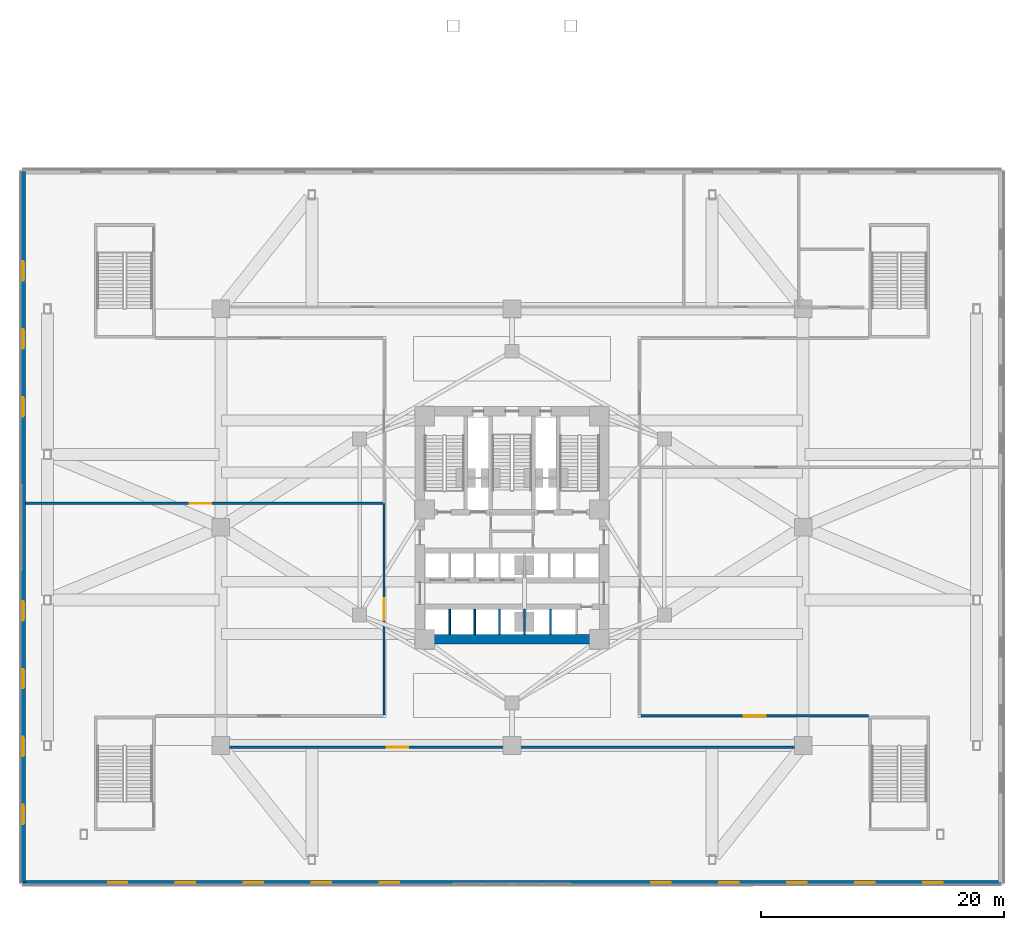
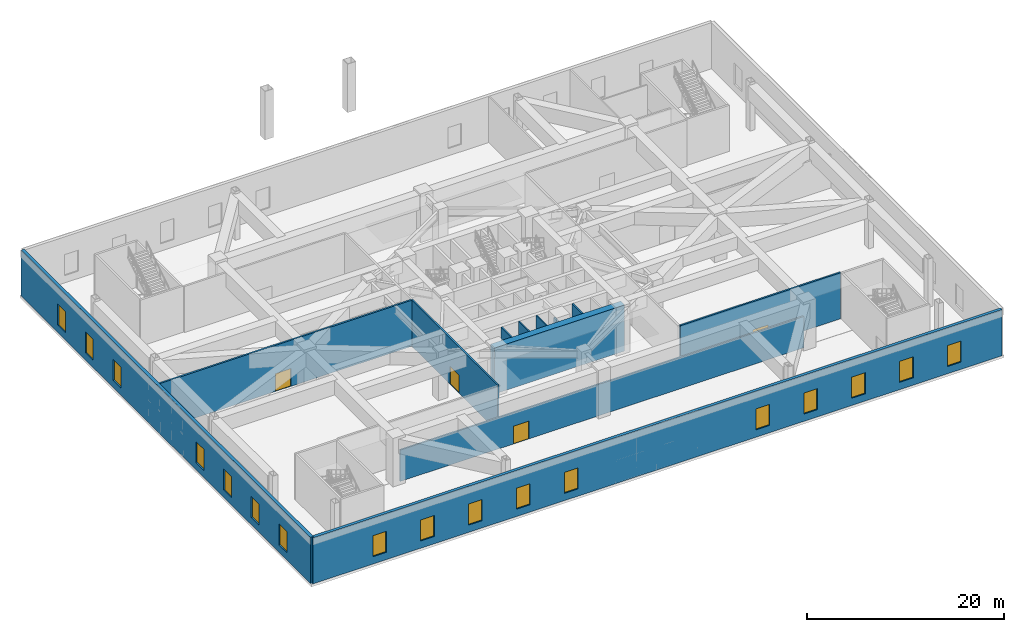
# One storey, part 11 of 24: 17 windows, 12 walls, 4 doors, 21 openings.
"""IFC4 building model written with IfcOpenShell, lengths in metres."""

from ifc_helpers import new_model, si_unit, direction, frame, frame_2d, origin, place, context, subcontext, project, spatial, rectangle, extrude, material, layer, layer_set, type_object, element, fill, save


model = new_model("IFC4")

# Units and contexts
model_context = context("Model", 3, precision=1e-05, world=origin(), true_north=direction((0.0, 1.0)))
body_context = subcontext(model_context, "Body", "Model", "MODEL_VIEW")
ifc_project = project(units=[si_unit("LENGTHUNIT", "METRE"), si_unit("AREAUNIT", "SQUARE_METRE"), si_unit("VOLUMEUNIT", "CUBIC_METRE"), si_unit("PLANEANGLEUNIT", "RADIAN"), si_unit("MASSUNIT", "GRAM", prefix="KILO")], contexts=[model_context])

# Site, building, storey
site_placement = place(None, origin())
site = spatial("IfcSite", under=ifc_project, at=site_placement, CompositionType="ELEMENT")
building_placement = place(site_placement, origin())
building = spatial("IfcBuilding", under=site, at=building_placement, Name="Apsidion Concourse Tower", CompositionType="ELEMENT")
storey_placement = place(building_placement, frame((0.0, 0.0, 17.5)))
storey = spatial("IfcBuildingStorey", under=building, at=storey_placement, Name="L03", CompositionType="ELEMENT", Elevation=17.5)

# Wall, openings, windows
ifc_material_1 = material(Name="Precast concrete C40/50", Category="concrete")
ifc_layer_1 = layer(ifc_material_1, 0.360107421875)
ifc_layer_set_1 = layer_set([ifc_layer_1], Name="Precast concrete C40/50")
wall_type_1 = type_object("IfcWallType", Name="WL-EXT-360", PredefinedType="STANDARD", material=ifc_layer_set_1)
wall_1_placement = place(storey_placement, frame((40.300048828125, -29.300048828125, 0.0), z_axis=(0.0, 0.0, 1.0), x_axis=(-1.0, 0.0, 0.0)))
wall_1 = element("IfcWall", 1, at=wall_1_placement, inside=storey, type_object=wall_type_1, Name="L03 Podium Precast Stone Facade Wall S", PredefinedType="STANDARD", context=body_context, shape_type="SweptSolid", body=[
    extrude(rectangle(XDim=80.60009765625, YDim=0.360107421875, at=frame_2d((40.300048828125, 0.0))), origin(), (0.0, 0.0, 1.0), 5.699951171875),
])
opening_1_placement = place(wall_1_placement, frame((4.800048828125, 0.0, 0.89990234375)))
opening_1 = element("IfcOpeningElement", 2, at=opening_1_placement, cuts=wall_1, Name="Opening WN-02", PredefinedType="OPENING", context=body_context, shape_type="SweptSolid", body=[
    extrude(rectangle(XDim=1.60009765625, YDim=2.60009765625, at=frame_2d((0.800048828125, 1.300048828125))), frame((0.0, 0.18994140625, 0.0), z_axis=(0.0, -1.0, 0.0), x_axis=(1.0, 0.0, 0.0)), (0.0, 0.0, 1.0), 0.380126953125),
])
opening_2_placement = place(wall_1_placement, frame((10.39990234375, 0.0, 0.89990234375)))
opening_2 = element("IfcOpeningElement", 3, at=opening_2_placement, cuts=wall_1, Name="Opening WN-02", PredefinedType="OPENING", context=body_context, shape_type="SweptSolid", body=[
    extrude(rectangle(XDim=1.60009765625, YDim=2.60009765625, at=frame_2d((0.800048828125, 1.300048828125))), frame((0.0, 0.18994140625, 0.0), z_axis=(0.0, -1.0, 0.0), x_axis=(1.0, 0.0, 0.0)), (0.0, 0.0, 1.0), 0.380126953125),
])
opening_3_placement = place(wall_1_placement, frame((16.0, 0.0, 0.89990234375)))
opening_3 = element("IfcOpeningElement", 4, at=opening_3_placement, cuts=wall_1, Name="Opening WN-02", PredefinedType="OPENING", context=body_context, shape_type="SweptSolid", body=[
    extrude(rectangle(XDim=1.60009765625, YDim=2.60009765625, at=frame_2d((0.800048828125, 1.300048828125))), frame((0.0, 0.18994140625, 0.0), z_axis=(0.0, -1.0, 0.0), x_axis=(1.0, 0.0, 0.0)), (0.0, 0.0, 1.0), 0.380126953125),
])
opening_4_placement = place(wall_1_placement, frame((21.60009765625, 0.0, 0.89990234375)))
opening_4 = element("IfcOpeningElement", 5, at=opening_4_placement, cuts=wall_1, Name="Opening WN-02", PredefinedType="OPENING", context=body_context, shape_type="SweptSolid", body=[
    extrude(rectangle(XDim=1.60009765625, YDim=2.60009765625, at=frame_2d((0.800048828125, 1.300048828125))), frame((0.0, 0.18994140625, 0.0), z_axis=(0.0, -1.0, 0.0), x_axis=(1.0, 0.0, 0.0)), (0.0, 0.0, 1.0), 0.380126953125),
])
opening_5_placement = place(wall_1_placement, frame((27.199951171875, 0.0, 0.89990234375)))
opening_5 = element("IfcOpeningElement", 6, at=opening_5_placement, cuts=wall_1, Name="Opening WN-02", PredefinedType="OPENING", context=body_context, shape_type="SweptSolid", body=[
    extrude(rectangle(XDim=1.60009765625, YDim=2.60009765625, at=frame_2d((0.800048828125, 1.300048828125))), frame((0.0, 0.18994140625, 0.0), z_axis=(0.0, -1.0, 0.0), x_axis=(1.0, 0.0, 0.0)), (0.0, 0.0, 1.0), 0.380126953125),
])
opening_6_placement = place(wall_1_placement, frame((49.60009765625, 0.0, 0.89990234375)))
opening_6 = element("IfcOpeningElement", 7, at=opening_6_placement, cuts=wall_1, Name="Opening WN-02", PredefinedType="OPENING", context=body_context, shape_type="SweptSolid", body=[
    extrude(rectangle(XDim=1.60009765625, YDim=2.60009765625, at=frame_2d((0.800048828125, 1.300048828125))), frame((0.0, 0.18994140625, 0.0), z_axis=(0.0, -1.0, 0.0), x_axis=(1.0, 0.0, 0.0)), (0.0, 0.0, 1.0), 0.380126953125),
])
opening_7_placement = place(wall_1_placement, frame((55.199951171875, 0.0, 0.89990234375)))
opening_7 = element("IfcOpeningElement", 8, at=opening_7_placement, cuts=wall_1, Name="Opening WN-02", PredefinedType="OPENING", context=body_context, shape_type="SweptSolid", body=[
    extrude(rectangle(XDim=1.60009765625, YDim=2.60009765625, at=frame_2d((0.800048828125, 1.300048828125))), frame((0.0, 0.18994140625, 0.0), z_axis=(0.0, -1.0, 0.0), x_axis=(1.0, 0.0, 0.0)), (0.0, 0.0, 1.0), 0.380126953125),
])
opening_8_placement = place(wall_1_placement, frame((60.800048828125, 0.0, 0.89990234375)))
opening_8 = element("IfcOpeningElement", 9, at=opening_8_placement, cuts=wall_1, Name="Opening WN-02", PredefinedType="OPENING", context=body_context, shape_type="SweptSolid", body=[
    extrude(rectangle(XDim=1.60009765625, YDim=2.60009765625, at=frame_2d((0.800048828125, 1.300048828125))), frame((0.0, 0.18994140625, 0.0), z_axis=(0.0, -1.0, 0.0), x_axis=(1.0, 0.0, 0.0)), (0.0, 0.0, 1.0), 0.380126953125),
])
opening_9_placement = place(wall_1_placement, frame((66.39990234375, 0.0, 0.89990234375)))
opening_9 = element("IfcOpeningElement", 10, at=opening_9_placement, cuts=wall_1, Name="Opening WN-02", PredefinedType="OPENING", context=body_context, shape_type="SweptSolid", body=[
    extrude(rectangle(XDim=1.60009765625, YDim=2.60009765625, at=frame_2d((0.800048828125, 1.300048828125))), frame((0.0, 0.18994140625, 0.0), z_axis=(0.0, -1.0, 0.0), x_axis=(1.0, 0.0, 0.0)), (0.0, 0.0, 1.0), 0.380126953125),
])
opening_10_placement = place(wall_1_placement, frame((72.0, 0.0, 0.89990234375)))
opening_10 = element("IfcOpeningElement", 11, at=opening_10_placement, cuts=wall_1, Name="Opening WN-02", PredefinedType="OPENING", context=body_context, shape_type="SweptSolid", body=[
    extrude(rectangle(XDim=1.60009765625, YDim=2.60009765625, at=frame_2d((0.800048828125, 1.300048828125))), frame((0.0, 0.18994140625, 0.0), z_axis=(0.0, -1.0, 0.0), x_axis=(1.0, 0.0, 0.0)), (0.0, 0.0, 1.0), 0.380126953125),
])
ifc_material_2 = material(Name="Insulated laminated low-E glass", Category="glass")
window_type = type_object("IfcWindowType", Name="WN-POD-1626", PartitioningType="DOUBLE_PANEL_VERTICAL", PredefinedType="WINDOW", material=ifc_material_2)
window_1_placement = place(opening_1_placement, origin())
window_1 = element("IfcWindow", 12, at=window_1_placement, inside=storey, type_object=window_type, Name="L03 Podium Window S-01", OverallHeight=2.60009765625, OverallWidth=1.60009765625, PartitioningType="DOUBLE_PANEL_VERTICAL", PredefinedType="WINDOW", context=body_context, shape_type="SweptSolid", body=[
    extrude(rectangle(XDim=1.60009765625, YDim=2.60009765625, at=frame_2d((0.800048828125, 1.300048828125))), frame((0.0, 0.030029296875, 0.0), z_axis=(0.0, -1.0, 0.0), x_axis=(1.0, 0.0, 0.0)), (0.0, 0.0, 1.0), 0.06005859375),
])
fill(opening_1, window_1)
window_2_placement = place(opening_2_placement, origin())
window_2 = element("IfcWindow", 13, at=window_2_placement, inside=storey, type_object=window_type, Name="L03 Podium Window S-02", OverallHeight=2.60009765625, OverallWidth=1.60009765625, PartitioningType="DOUBLE_PANEL_VERTICAL", PredefinedType="WINDOW", context=body_context, shape_type="SweptSolid", body=[
    extrude(rectangle(XDim=1.60009765625, YDim=2.60009765625, at=frame_2d((0.800048828125, 1.300048828125))), frame((0.0, 0.030029296875, 0.0), z_axis=(0.0, -1.0, 0.0), x_axis=(1.0, 0.0, 0.0)), (0.0, 0.0, 1.0), 0.06005859375),
])
fill(opening_2, window_2)
window_3_placement = place(opening_3_placement, origin())
window_3 = element("IfcWindow", 14, at=window_3_placement, inside=storey, type_object=window_type, Name="L03 Podium Window S-03", OverallHeight=2.60009765625, OverallWidth=1.60009765625, PartitioningType="DOUBLE_PANEL_VERTICAL", PredefinedType="WINDOW", context=body_context, shape_type="SweptSolid", body=[
    extrude(rectangle(XDim=1.60009765625, YDim=2.60009765625, at=frame_2d((0.800048828125, 1.300048828125))), frame((0.0, 0.030029296875, 0.0), z_axis=(0.0, -1.0, 0.0), x_axis=(1.0, 0.0, 0.0)), (0.0, 0.0, 1.0), 0.06005859375),
])
fill(opening_3, window_3)
window_4_placement = place(opening_4_placement, origin())
window_4 = element("IfcWindow", 15, at=window_4_placement, inside=storey, type_object=window_type, Name="L03 Podium Window S-04", OverallHeight=2.60009765625, OverallWidth=1.60009765625, PartitioningType="DOUBLE_PANEL_VERTICAL", PredefinedType="WINDOW", context=body_context, shape_type="SweptSolid", body=[
    extrude(rectangle(XDim=1.60009765625, YDim=2.60009765625, at=frame_2d((0.800048828125, 1.300048828125))), frame((0.0, 0.030029296875, 0.0), z_axis=(0.0, -1.0, 0.0), x_axis=(1.0, 0.0, 0.0)), (0.0, 0.0, 1.0), 0.06005859375),
])
fill(opening_4, window_4)
window_5_placement = place(opening_5_placement, origin())
window_5 = element("IfcWindow", 16, at=window_5_placement, inside=storey, type_object=window_type, Name="L03 Podium Window S-05", OverallHeight=2.60009765625, OverallWidth=1.60009765625, PartitioningType="DOUBLE_PANEL_VERTICAL", PredefinedType="WINDOW", context=body_context, shape_type="SweptSolid", body=[
    extrude(rectangle(XDim=1.60009765625, YDim=2.60009765625, at=frame_2d((0.800048828125, 1.300048828125))), frame((0.0, 0.030029296875, 0.0), z_axis=(0.0, -1.0, 0.0), x_axis=(1.0, 0.0, 0.0)), (0.0, 0.0, 1.0), 0.06005859375),
])
fill(opening_5, window_5)
window_6_placement = place(opening_6_placement, origin())
window_6 = element("IfcWindow", 17, at=window_6_placement, inside=storey, type_object=window_type, Name="L03 Podium Window S-09", OverallHeight=2.60009765625, OverallWidth=1.60009765625, PartitioningType="DOUBLE_PANEL_VERTICAL", PredefinedType="WINDOW", context=body_context, shape_type="SweptSolid", body=[
    extrude(rectangle(XDim=1.60009765625, YDim=2.60009765625, at=frame_2d((0.800048828125, 1.300048828125))), frame((0.0, 0.030029296875, 0.0), z_axis=(0.0, -1.0, 0.0), x_axis=(1.0, 0.0, 0.0)), (0.0, 0.0, 1.0), 0.06005859375),
])
fill(opening_6, window_6)
window_7_placement = place(opening_7_placement, origin())
window_7 = element("IfcWindow", 18, at=window_7_placement, inside=storey, type_object=window_type, Name="L03 Podium Window S-10", OverallHeight=2.60009765625, OverallWidth=1.60009765625, PartitioningType="DOUBLE_PANEL_VERTICAL", PredefinedType="WINDOW", context=body_context, shape_type="SweptSolid", body=[
    extrude(rectangle(XDim=1.60009765625, YDim=2.60009765625, at=frame_2d((0.800048828125, 1.300048828125))), frame((0.0, 0.030029296875, 0.0), z_axis=(0.0, -1.0, 0.0), x_axis=(1.0, 0.0, 0.0)), (0.0, 0.0, 1.0), 0.06005859375),
])
fill(opening_7, window_7)
window_8_placement = place(opening_8_placement, origin())
window_8 = element("IfcWindow", 19, at=window_8_placement, inside=storey, type_object=window_type, Name="L03 Podium Window S-11", OverallHeight=2.60009765625, OverallWidth=1.60009765625, PartitioningType="DOUBLE_PANEL_VERTICAL", PredefinedType="WINDOW", context=body_context, shape_type="SweptSolid", body=[
    extrude(rectangle(XDim=1.60009765625, YDim=2.60009765625, at=frame_2d((0.800048828125, 1.300048828125))), frame((0.0, 0.030029296875, 0.0), z_axis=(0.0, -1.0, 0.0), x_axis=(1.0, 0.0, 0.0)), (0.0, 0.0, 1.0), 0.06005859375),
])
fill(opening_8, window_8)
window_9_placement = place(opening_9_placement, origin())
window_9 = element("IfcWindow", 20, at=window_9_placement, inside=storey, type_object=window_type, Name="L03 Podium Window S-12", OverallHeight=2.60009765625, OverallWidth=1.60009765625, PartitioningType="DOUBLE_PANEL_VERTICAL", PredefinedType="WINDOW", context=body_context, shape_type="SweptSolid", body=[
    extrude(rectangle(XDim=1.60009765625, YDim=2.60009765625, at=frame_2d((0.800048828125, 1.300048828125))), frame((0.0, 0.030029296875, 0.0), z_axis=(0.0, -1.0, 0.0), x_axis=(1.0, 0.0, 0.0)), (0.0, 0.0, 1.0), 0.06005859375),
])
fill(opening_9, window_9)
window_10_placement = place(opening_10_placement, origin())
window_10 = element("IfcWindow", 21, at=window_10_placement, inside=storey, type_object=window_type, Name="L03 Podium Window S-13", OverallHeight=2.60009765625, OverallWidth=1.60009765625, PartitioningType="DOUBLE_PANEL_VERTICAL", PredefinedType="WINDOW", context=body_context, shape_type="SweptSolid", body=[
    extrude(rectangle(XDim=1.60009765625, YDim=2.60009765625, at=frame_2d((0.800048828125, 1.300048828125))), frame((0.0, 0.030029296875, 0.0), z_axis=(0.0, -1.0, 0.0), x_axis=(1.0, 0.0, 0.0)), (0.0, 0.0, 1.0), 0.06005859375),
])
fill(opening_10, window_10)

wall_2_placement = place(storey_placement, frame((-40.300048828125, -29.300048828125, 0.0), z_axis=(0.0, 0.0, 1.0), x_axis=(0.0, 1.0, 0.0)))
wall_2 = element("IfcWall", 22, at=wall_2_placement, inside=storey, type_object=wall_type_1, Name="L03 Podium Precast Stone Facade Wall W", PredefinedType="STANDARD", context=body_context, shape_type="SweptSolid", body=[
    extrude(rectangle(XDim=58.60009765625, YDim=0.360107421875, at=frame_2d((29.300048828125, 0.0))), origin(), (0.0, 0.0, 1.0), 5.699951171875),
])
opening_11_placement = place(wall_2_placement, frame((4.800048828125, 0.0, 0.89990234375)))
opening_11 = element("IfcOpeningElement", 23, at=opening_11_placement, cuts=wall_2, Name="Opening WN-02", PredefinedType="OPENING", context=body_context, shape_type="SweptSolid", body=[
    extrude(rectangle(XDim=1.60009765625, YDim=2.60009765625, at=frame_2d((0.800048828125, 1.300048828125))), frame((0.0, 0.18994140625, 0.0), z_axis=(0.0, -1.0, 0.0), x_axis=(1.0, 0.0, 0.0)), (0.0, 0.0, 1.0), 0.380126953125),
])
opening_12_placement = place(wall_2_placement, frame((10.39990234375, 0.0, 0.89990234375)))
opening_12 = element("IfcOpeningElement", 24, at=opening_12_placement, cuts=wall_2, Name="Opening WN-02", PredefinedType="OPENING", context=body_context, shape_type="SweptSolid", body=[
    extrude(rectangle(XDim=1.60009765625, YDim=2.60009765625, at=frame_2d((0.800048828125, 1.300048828125))), frame((0.0, 0.18994140625, 0.0), z_axis=(0.0, -1.0, 0.0), x_axis=(1.0, 0.0, 0.0)), (0.0, 0.0, 1.0), 0.380126953125),
])
opening_13_placement = place(wall_2_placement, frame((16.0, 0.0, 0.89990234375)))
opening_13 = element("IfcOpeningElement", 25, at=opening_13_placement, cuts=wall_2, Name="Opening WN-02", PredefinedType="OPENING", context=body_context, shape_type="SweptSolid", body=[
    extrude(rectangle(XDim=1.60009765625, YDim=2.60009765625, at=frame_2d((0.800048828125, 1.300048828125))), frame((0.0, 0.18994140625, 0.0), z_axis=(0.0, -1.0, 0.0), x_axis=(1.0, 0.0, 0.0)), (0.0, 0.0, 1.0), 0.380126953125),
])
opening_14_placement = place(wall_2_placement, frame((21.60009765625, 0.0, 0.89990234375)))
opening_14 = element("IfcOpeningElement", 26, at=opening_14_placement, cuts=wall_2, Name="Opening WN-02", PredefinedType="OPENING", context=body_context, shape_type="SweptSolid", body=[
    extrude(rectangle(XDim=1.60009765625, YDim=2.60009765625, at=frame_2d((0.800048828125, 1.300048828125))), frame((0.0, 0.18994140625, 0.0), z_axis=(0.0, -1.0, 0.0), x_axis=(1.0, 0.0, 0.0)), (0.0, 0.0, 1.0), 0.380126953125),
])
opening_15_placement = place(wall_2_placement, frame((38.39990234375, 0.0, 0.89990234375)))
opening_15 = element("IfcOpeningElement", 27, at=opening_15_placement, cuts=wall_2, Name="Opening WN-02", PredefinedType="OPENING", context=body_context, shape_type="SweptSolid", body=[
    extrude(rectangle(XDim=1.60009765625, YDim=2.60009765625, at=frame_2d((0.800048828125, 1.300048828125))), frame((0.0, 0.18994140625, 0.0), z_axis=(0.0, -1.0, 0.0), x_axis=(1.0, 0.0, 0.0)), (0.0, 0.0, 1.0), 0.380126953125),
])
opening_16_placement = place(wall_2_placement, frame((44.0, 0.0, 0.89990234375)))
opening_16 = element("IfcOpeningElement", 28, at=opening_16_placement, cuts=wall_2, Name="Opening WN-02", PredefinedType="OPENING", context=body_context, shape_type="SweptSolid", body=[
    extrude(rectangle(XDim=1.60009765625, YDim=2.60009765625, at=frame_2d((0.800048828125, 1.300048828125))), frame((0.0, 0.18994140625, 0.0), z_axis=(0.0, -1.0, 0.0), x_axis=(1.0, 0.0, 0.0)), (0.0, 0.0, 1.0), 0.380126953125),
])
opening_17_placement = place(wall_2_placement, frame((49.60009765625, 0.0, 0.89990234375)))
opening_17 = element("IfcOpeningElement", 29, at=opening_17_placement, cuts=wall_2, Name="Opening WN-02", PredefinedType="OPENING", context=body_context, shape_type="SweptSolid", body=[
    extrude(rectangle(XDim=1.60009765625, YDim=2.60009765625, at=frame_2d((0.800048828125, 1.300048828125))), frame((0.0, 0.18994140625, 0.0), z_axis=(0.0, -1.0, 0.0), x_axis=(1.0, 0.0, 0.0)), (0.0, 0.0, 1.0), 0.380126953125),
])
window_11_placement = place(opening_11_placement, origin())
window_11 = element("IfcWindow", 30, at=window_11_placement, inside=storey, type_object=window_type, Name="L03 Podium Window W-01", OverallHeight=2.60009765625, OverallWidth=1.60009765625, PartitioningType="DOUBLE_PANEL_VERTICAL", PredefinedType="WINDOW", context=body_context, shape_type="SweptSolid", body=[
    extrude(rectangle(XDim=1.60009765625, YDim=2.60009765625, at=frame_2d((0.800048828125, 1.300048828125))), frame((0.0, 0.030029296875, 0.0), z_axis=(0.0, -1.0, 0.0), x_axis=(1.0, 0.0, 0.0)), (0.0, 0.0, 1.0), 0.06005859375),
])
fill(opening_11, window_11)
window_12_placement = place(opening_12_placement, origin())
window_12 = element("IfcWindow", 31, at=window_12_placement, inside=storey, type_object=window_type, Name="L03 Podium Window W-02", OverallHeight=2.60009765625, OverallWidth=1.60009765625, PartitioningType="DOUBLE_PANEL_VERTICAL", PredefinedType="WINDOW", context=body_context, shape_type="SweptSolid", body=[
    extrude(rectangle(XDim=1.60009765625, YDim=2.60009765625, at=frame_2d((0.800048828125, 1.300048828125))), frame((0.0, 0.030029296875, 0.0), z_axis=(0.0, -1.0, 0.0), x_axis=(1.0, 0.0, 0.0)), (0.0, 0.0, 1.0), 0.06005859375),
])
fill(opening_12, window_12)
window_13_placement = place(opening_13_placement, origin())
window_13 = element("IfcWindow", 32, at=window_13_placement, inside=storey, type_object=window_type, Name="L03 Podium Window W-03", OverallHeight=2.60009765625, OverallWidth=1.60009765625, PartitioningType="DOUBLE_PANEL_VERTICAL", PredefinedType="WINDOW", context=body_context, shape_type="SweptSolid", body=[
    extrude(rectangle(XDim=1.60009765625, YDim=2.60009765625, at=frame_2d((0.800048828125, 1.300048828125))), frame((0.0, 0.030029296875, 0.0), z_axis=(0.0, -1.0, 0.0), x_axis=(1.0, 0.0, 0.0)), (0.0, 0.0, 1.0), 0.06005859375),
])
fill(opening_13, window_13)
window_14_placement = place(opening_14_placement, origin())
window_14 = element("IfcWindow", 33, at=window_14_placement, inside=storey, type_object=window_type, Name="L03 Podium Window W-04", OverallHeight=2.60009765625, OverallWidth=1.60009765625, PartitioningType="DOUBLE_PANEL_VERTICAL", PredefinedType="WINDOW", context=body_context, shape_type="SweptSolid", body=[
    extrude(rectangle(XDim=1.60009765625, YDim=2.60009765625, at=frame_2d((0.800048828125, 1.300048828125))), frame((0.0, 0.030029296875, 0.0), z_axis=(0.0, -1.0, 0.0), x_axis=(1.0, 0.0, 0.0)), (0.0, 0.0, 1.0), 0.06005859375),
])
fill(opening_14, window_14)
window_15_placement = place(opening_15_placement, origin())
window_15 = element("IfcWindow", 34, at=window_15_placement, inside=storey, type_object=window_type, Name="L03 Podium Window W-07", OverallHeight=2.60009765625, OverallWidth=1.60009765625, PartitioningType="DOUBLE_PANEL_VERTICAL", PredefinedType="WINDOW", context=body_context, shape_type="SweptSolid", body=[
    extrude(rectangle(XDim=1.60009765625, YDim=2.60009765625, at=frame_2d((0.800048828125, 1.300048828125))), frame((0.0, 0.030029296875, 0.0), z_axis=(0.0, -1.0, 0.0), x_axis=(1.0, 0.0, 0.0)), (0.0, 0.0, 1.0), 0.06005859375),
])
fill(opening_15, window_15)
window_16_placement = place(opening_16_placement, origin())
window_16 = element("IfcWindow", 35, at=window_16_placement, inside=storey, type_object=window_type, Name="L03 Podium Window W-08", OverallHeight=2.60009765625, OverallWidth=1.60009765625, PartitioningType="DOUBLE_PANEL_VERTICAL", PredefinedType="WINDOW", context=body_context, shape_type="SweptSolid", body=[
    extrude(rectangle(XDim=1.60009765625, YDim=2.60009765625, at=frame_2d((0.800048828125, 1.300048828125))), frame((0.0, 0.030029296875, 0.0), z_axis=(0.0, -1.0, 0.0), x_axis=(1.0, 0.0, 0.0)), (0.0, 0.0, 1.0), 0.06005859375),
])
fill(opening_16, window_16)
window_17_placement = place(opening_17_placement, origin())
window_17 = element("IfcWindow", 36, at=window_17_placement, inside=storey, type_object=window_type, Name="L03 Podium Window W-09", OverallHeight=2.60009765625, OverallWidth=1.60009765625, PartitioningType="DOUBLE_PANEL_VERTICAL", PredefinedType="WINDOW", context=body_context, shape_type="SweptSolid", body=[
    extrude(rectangle(XDim=1.60009765625, YDim=2.60009765625, at=frame_2d((0.800048828125, 1.300048828125))), frame((0.0, 0.030029296875, 0.0), z_axis=(0.0, -1.0, 0.0), x_axis=(1.0, 0.0, 0.0)), (0.0, 0.0, 1.0), 0.06005859375),
])
fill(opening_17, window_17)

# Wall, opening, door
ifc_material_3 = material(Name="Anodised aluminium EN AW-6063 T6", Category="aluminium")
ifc_layer_2 = layer(ifc_material_3, 0.2099609375)
ifc_layer_set_2 = layer_set([ifc_layer_2], Name="Anodised aluminium EN AW-6063 T6")
wall_type_2 = type_object("IfcWallType", Name="WL-INT-MOV-210", PredefinedType="MOVABLE", material=ifc_layer_set_2)
wall_3_placement = place(storey_placement, frame((-40.10498046875, 1.949951171875, 0.0), z_axis=(0.0, 0.0, 1.0), x_axis=(1.0, 0.0, 0.0)))
wall_3 = element("IfcWall", 37, at=wall_3_placement, inside=storey, type_object=wall_type_2, Name="L03 Interior Partition WL-L03-WH", PredefinedType="MOVABLE", context=body_context, shape_type="SweptSolid", body=[
    extrude(rectangle(XDim=29.455078125, YDim=0.2099609375, at=frame_2d((14.7275390625, 0.0))), origin(), (0.0, 0.0, 1.0), 5.699951171875),
])
opening_18_placement = place(wall_3_placement, frame((13.527587890625, 0.0, 0.0)))
opening_18 = element("IfcOpeningElement", 38, at=opening_18_placement, cuts=wall_3, Name="Opening D-06D", PredefinedType="OPENING", context=body_context, shape_type="SweptSolid", body=[
    extrude(rectangle(XDim=1.800048828125, YDim=2.199951171875, at=frame_2d((0.89990234375, 1.10009765625))), frame((0.0, 0.114990234375, 0.0), z_axis=(0.0, -1.0, 0.0), x_axis=(1.0, 0.0, 0.0)), (0.0, 0.0, 1.0), 0.22998046875),
])
ifc_material_4 = material(Name="Brushed stainless steel 316", Category="steel")
door_type = type_object("IfcDoorType", Name="DR-INT-D06D", OperationType="DOUBLE_DOOR_SINGLE_SWING", PredefinedType="DOOR", material=ifc_material_4)
door_1_placement = place(opening_18_placement, origin())
door_1 = element("IfcDoor", 39, at=door_1_placement, inside=storey, type_object=door_type, Name="L03 Convention Door WL-L03-WH", OperationType="DOUBLE_DOOR_SINGLE_SWING", OverallHeight=2.199951171875, OverallWidth=1.800048828125, PredefinedType="DOOR", context=body_context, shape_type="SweptSolid", body=[
    extrude(rectangle(XDim=1.800048828125, YDim=2.199951171875, at=frame_2d((0.89990234375, 1.10009765625))), frame((0.0, 0.02490234375, 0.0), z_axis=(0.0, -1.0, 0.0), x_axis=(1.0, 0.0, 0.0)), (0.0, 0.0, 1.0), 0.050048828125),
])
fill(opening_18, door_1)

# Walls
ifc_material_5 = material(Name="Gypsum plasterboard partition")
ifc_layer_3 = layer(ifc_material_5, 0.14990234375)
ifc_layer_set_3 = layer_set([ifc_layer_3], Name="Gypsum plasterboard partition")
wall_type_3 = type_object("IfcWallType", Name="WL-INT-PAR-150", PredefinedType="PARTITIONING", material=ifc_layer_set_3)
for number, where, z_axis, x_axis, name in (
    (40, (-5.125, -8.85009765625, 0.0), (0.0, 0.0, 1.0), (0.0, 1.0, 0.0), "L03 Interior Partition WL-L03-B2DIV-1"),
    (41, (-3.074951171875, -8.85009765625, 0.0), (0.0, 0.0, 1.0), (0.0, 1.0, 0.0), "L03 Interior Partition WL-L03-B2DIV-2"),
    (42, (-1.02490234375, -8.85009765625, 0.0), (0.0, 0.0, 1.0), (0.0, 1.0, 0.0), "L03 Interior Partition WL-L03-B2DIV-3"),
    (43, (3.175048828125, -8.85009765625, 0.0), (0.0, 0.0, 1.0), (0.0, 1.0, 0.0), "L03 Interior Partition WL-L03-SHDIV-1"),
):
    element("IfcWall", number, at=place(storey_placement, frame(where, z_axis=z_axis, x_axis=x_axis)), inside=storey, type_object=wall_type_3, Name=name, PredefinedType="PARTITIONING", context=body_context, shape_type="SweptSolid", body=[
        extrude(rectangle(XDim=2.080078125, YDim=0.14990234375, at=frame_2d((1.0400390625, 0.0))), origin(), (0.0, 0.0, 1.0), 5.699951171875),
    ])
ifc_layer_4 = layer(ifc_material_5, 0.179931640625)
ifc_layer_set_4 = layer_set([ifc_layer_4], Name="Gypsum plasterboard partition")
wall_type_4 = type_object("IfcWallType", Name="WL-INT-PAR-180", PredefinedType="PARTITIONING", material=ifc_layer_set_4)
wall_4_placement = place(storey_placement, frame((1.02490234375, -8.85009765625, 0.0), z_axis=(0.0, 0.0, 1.0), x_axis=(0.0, 1.0, 0.0)))
element("IfcWall", 44, at=wall_4_placement, inside=storey, type_object=wall_type_4, Name="L03 Interior Partition WL-L03-B2END", PredefinedType="PARTITIONING", context=body_context, shape_type="SweptSolid", body=[
    extrude(rectangle(XDim=2.080078125, YDim=0.179931640625, at=frame_2d((1.0400390625, 0.0))), origin(), (0.0, 0.0, 1.0), 4.748046875),
])

# Wall, opening, door
wall_5_placement = place(storey_placement, frame((-23.60009765625, -18.14990234375, 0.0), z_axis=(0.0, 0.0, 1.0), x_axis=(1.0, 0.0, 0.0)))
wall_5 = element("IfcWall", 45, at=wall_5_placement, inside=storey, type_object=wall_type_4, Name="L03 Interior Partition WL-L03-SW", PredefinedType="PARTITIONING", context=body_context, shape_type="SweptSolid", body=[
    extrude(rectangle(XDim=47.2001953125, YDim=0.179931640625, at=frame_2d((23.60009765625, 0.0))), origin(), (0.0, 0.0, 1.0), 3.8798828125),
])
opening_19_placement = place(wall_5_placement, frame((13.260009765625, 0.0, 0.0)))
opening_19 = element("IfcOpeningElement", 46, at=opening_19_placement, cuts=wall_5, Name="Opening D-06D", PredefinedType="OPENING", context=body_context, shape_type="SweptSolid", body=[
    extrude(rectangle(XDim=1.800048828125, YDim=2.199951171875, at=frame_2d((0.89990234375, 1.10009765625))), frame((0.0, 0.10009765625, 0.0), z_axis=(0.0, -1.0, 0.0), x_axis=(1.0, 0.0, 0.0)), (0.0, 0.0, 1.0), 0.199951171875),
])
door_2_placement = place(opening_19_placement, origin())
door_2 = element("IfcDoor", 47, at=door_2_placement, inside=storey, type_object=door_type, Name="L03 Convention Door WL-L03-SW", OperationType="DOUBLE_DOOR_SINGLE_SWING", OverallHeight=2.199951171875, OverallWidth=1.800048828125, PredefinedType="DOOR", context=body_context, shape_type="SweptSolid", body=[
    extrude(rectangle(XDim=1.800048828125, YDim=2.199951171875, at=frame_2d((0.89990234375, 1.10009765625))), frame((0.0, 0.02490234375, 0.0), z_axis=(0.0, -1.0, 0.0), x_axis=(1.0, 0.0, 0.0)), (0.0, 0.0, 1.0), 0.050048828125),
])
fill(opening_19, door_2)

ifc_layer_5 = layer(ifc_material_5, 0.199951171875)
ifc_layer_set_5 = layer_set([ifc_layer_5], Name="Gypsum plasterboard partition")
wall_type_5 = type_object("IfcWallType", Name="WL-INT-PAR-200", PredefinedType="PARTITIONING", material=ifc_layer_set_5)
wall_6_placement = place(storey_placement, frame((-10.550048828125, -15.5, 0.0), z_axis=(0.0, 0.0, 1.0), x_axis=(0.0, 1.0, 0.0)))
wall_6 = element("IfcWall", 48, at=wall_6_placement, inside=storey, type_object=wall_type_5, Name="L03 Interior Partition WL-L03-W1", PredefinedType="PARTITIONING", context=body_context, shape_type="SweptSolid", body=[
    extrude(rectangle(XDim=17.449951171875, YDim=0.199951171875, at=frame_2d((8.72509765625, 0.0))), origin(), (0.0, 0.0, 1.0), 5.699951171875),
])
opening_20_placement = place(wall_6_placement, frame((7.824951171875, 0.0, 0.0)))
opening_20 = element("IfcOpeningElement", 49, at=opening_20_placement, cuts=wall_6, Name="Opening D-06D", PredefinedType="OPENING", context=body_context, shape_type="SweptSolid", body=[
    extrude(rectangle(XDim=1.800048828125, YDim=2.199951171875, at=frame_2d((0.89990234375, 1.10009765625))), frame((0.0, 0.10986328125, 0.0), z_axis=(0.0, -1.0, 0.0), x_axis=(1.0, 0.0, 0.0)), (0.0, 0.0, 1.0), 0.219970703125),
])
door_3_placement = place(opening_20_placement, origin())
door_3 = element("IfcDoor", 50, at=door_3_placement, inside=storey, type_object=door_type, Name="L03 Convention Door WL-L03-W1", OperationType="DOUBLE_DOOR_SINGLE_SWING", OverallHeight=2.199951171875, OverallWidth=1.800048828125, PredefinedType="DOOR", context=body_context, shape_type="SweptSolid", body=[
    extrude(rectangle(XDim=1.800048828125, YDim=2.199951171875, at=frame_2d((0.89990234375, 1.10009765625))), frame((0.0, 0.02490234375, 0.0), z_axis=(0.0, -1.0, 0.0), x_axis=(1.0, 0.0, 0.0)), (0.0, 0.0, 1.0), 0.050048828125),
])
fill(opening_20, door_3)

wall_7_placement = place(storey_placement, frame((10.64990234375, -15.550048828125, 0.0), z_axis=(0.0, 0.0, 1.0), x_axis=(1.0, 0.0, 0.0)))
wall_7 = element("IfcWall", 51, at=wall_7_placement, inside=storey, type_object=wall_type_5, Name="L03 Interior Partition WL-L03-S2", PredefinedType="PARTITIONING", context=body_context, shape_type="SweptSolid", body=[
    extrude(rectangle(XDim=18.75, YDim=0.199951171875, at=frame_2d((9.375, 0.0))), origin(), (0.0, 0.0, 1.0), 5.699951171875),
])
opening_21_placement = place(wall_7_placement, frame((8.47509765625, 0.0, 0.0)))
opening_21 = element("IfcOpeningElement", 52, at=opening_21_placement, cuts=wall_7, Name="Opening D-06D", PredefinedType="OPENING", context=body_context, shape_type="SweptSolid", body=[
    extrude(rectangle(XDim=1.800048828125, YDim=2.199951171875, at=frame_2d((0.89990234375, 1.10009765625))), frame((0.0, 0.10986328125, 0.0), z_axis=(0.0, -1.0, 0.0), x_axis=(1.0, 0.0, 0.0)), (0.0, 0.0, 1.0), 0.219970703125),
])
door_4_placement = place(opening_21_placement, origin())
door_4 = element("IfcDoor", 53, at=door_4_placement, inside=storey, type_object=door_type, Name="L03 Convention Door WL-L03-S2", OperationType="DOUBLE_DOOR_SINGLE_SWING", OverallHeight=2.199951171875, OverallWidth=1.800048828125, PredefinedType="DOOR", context=body_context, shape_type="SweptSolid", body=[
    extrude(rectangle(XDim=1.800048828125, YDim=2.199951171875, at=frame_2d((0.89990234375, 1.10009765625))), frame((0.0, 0.02490234375, 0.0), z_axis=(0.0, -1.0, 0.0), x_axis=(1.0, 0.0, 0.0)), (0.0, 0.0, 1.0), 0.050048828125),
])
fill(opening_21, door_4)

# Wall
ifc_material_6 = material(Name="Concrete C60/75", Category="concrete")
ifc_layer_6 = layer(ifc_material_6, 0.800048828125)
ifc_layer_set_6 = layer_set([ifc_layer_6], Name="Concrete C60/75")
wall_type_6 = type_object("IfcWallType", Name="WL-SH-800", PredefinedType="SHEAR", material=ifc_layer_set_6)
wall_8_placement = place(storey_placement, frame((-7.60009765625, -9.25, 0.0), z_axis=(0.0, 0.0, 1.0), x_axis=(1.0, 0.0, 0.0)))
element("IfcWall", 54, at=wall_8_placement, inside=storey, type_object=wall_type_6, Name="L03 Central Core Shear Wall S", PredefinedType="SHEAR", context=body_context, shape_type="SweptSolid", body=[
    extrude(rectangle(XDim=15.2001953125, YDim=0.800048828125, at=frame_2d((7.60009765625, 0.0))), origin(), (0.0, 0.0, 1.0), 5.699951171875),
])

save(model, "model.ifc")
